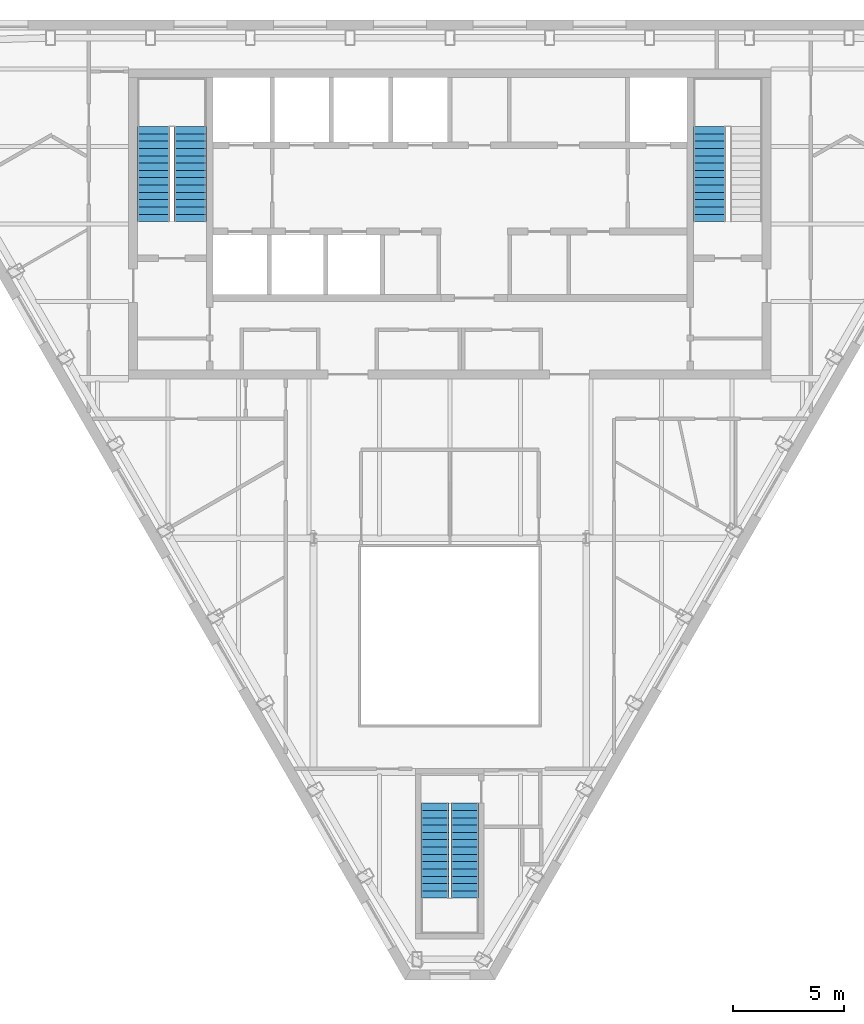
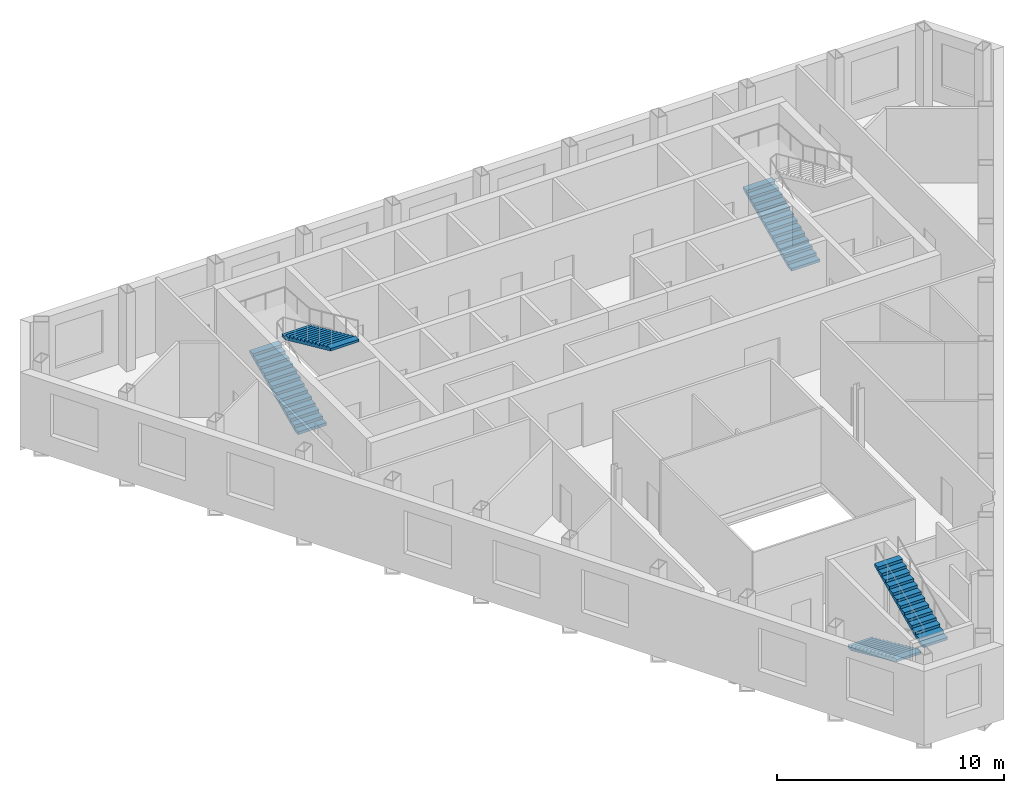
# One storey, part 8 of 10: 5 stair flights, 3 elements without a shape of their own.
"""IFC4 building model written with IfcOpenShell, lengths in metres."""

import ifcopenshell
import ifcopenshell.guid

model = None  # the IFC model being written
_history = None  # IfcOwnerHistory: only IFC2X3 demands one
_inside = {}  # id of a spatial element -> (the spatial element, [elements in it])
_under = {}  # id of a project, library or spatial element -> (it, [spatial elements below it])
_declared = {}  # id of a project -> (the project, [libraries it declares])
_typed = {}  # id of a type object -> (the type object, [elements of that type])
_made_of = {}  # id of a material, layer set ... -> (it, [elements and type objects made of it])


def new_model(schema):
    """Start an empty IFC model of exactly this schema.

    Asked for "IFC4X3", IfcOpenShell would pick the latest addendum, in which some entities
    have other attributes; the version numbers below select the first issue.
    IFC2X3 requires an IfcOwnerHistory on every rooted entity: one is made here for all.
    """
    global model, _history
    if schema == "IFC4X3":
        model = ifcopenshell.file(schema_version=(4, 3, 0, 0))
    else:
        model = ifcopenshell.file(schema=schema)
    _inside.clear()
    _under.clear()
    _declared.clear()
    _typed.clear()
    _made_of.clear()
    _history = None
    if model.schema == "IFC2X3":
        org = make("IfcOrganization", Name="unknown")
        user = make(
            "IfcPersonAndOrganization",
            ThePerson=make("IfcPerson", FamilyName="unknown"),
            TheOrganization=org,
        )
        app = make(
            "IfcApplication",
            ApplicationDeveloper=org,
            Version="unknown",
            ApplicationFullName="unknown",
            ApplicationIdentifier="unknown",
        )
        _history = make(
            "IfcOwnerHistory",
            OwningUser=user,
            OwningApplication=app,
            ChangeAction="ADDED",
            CreationDate=0,
        )
    return model


def make(cls, **values):
    """One entity of the class cls with the attributes given. An attribute that is None is left unset."""
    return model.create_entity(
        cls, **{name: value for name, value in values.items() if value is not None}
    )


def rooted(cls, **values):
    """An entity with a GlobalId (a new one), such as an element, a storey or a relation."""
    return make(cls, GlobalId=ifcopenshell.guid.new(), OwnerHistory=_history, **values)


def si_unit(unit_type, name, prefix=None):
    """IfcSIUnit, for example si_unit("LENGTHUNIT", "METRE", prefix="MILLI")."""
    return make("IfcSIUnit", UnitType=unit_type, Prefix=prefix, Name=name)


def assignment(units):
    """IfcUnitAssignment: the units of a project."""
    return None if units is None else make("IfcUnitAssignment", Units=units)


def point(xyz):
    """IfcCartesianPoint."""
    return None if xyz is None else make("IfcCartesianPoint", Coordinates=xyz)


def direction(xyz):
    """IfcDirection."""
    return None if xyz is None else make("IfcDirection", DirectionRatios=xyz)


def frame(location, z_axis=None, x_axis=None):
    """IfcAxis2Placement3D, a coordinate frame: its origin and axes. An axis left out is left unset."""
    return make(
        "IfcAxis2Placement3D",
        Location=point(location),
        Axis=direction(z_axis),
        RefDirection=direction(x_axis),
    )


def origin():
    """The frame at (0, 0, 0) with its axes left unset."""
    return frame((0.0, 0.0, 0.0))


def place(relative_to, where):
    """IfcLocalPlacement: puts the frame where relative to a parent placement (None: the world)."""
    return make(
        "IfcLocalPlacement", PlacementRelTo=relative_to, RelativePlacement=where
    )


def context(
    kind, dimensions, precision=None, world=None, true_north=None, identifier=None
):
    """IfcGeometricRepresentationContext, for example the 3D "Model" context."""
    return make(
        "IfcGeometricRepresentationContext",
        ContextIdentifier=identifier,
        ContextType=kind,
        CoordinateSpaceDimension=dimensions,
        Precision=precision,
        WorldCoordinateSystem=world,
        TrueNorth=true_north,
    )


def subcontext(parent, identifier, kind, view, scale=None):
    """IfcGeometricRepresentationSubContext, for example "Body" below "Model"."""
    return make(
        "IfcGeometricRepresentationSubContext",
        ContextIdentifier=identifier,
        ContextType=kind,
        ParentContext=parent,
        TargetScale=scale,
        TargetView=view,
    )


def project(units=None, contexts=None):
    """IfcProject with its units and contexts."""
    return rooted(
        "IfcProject",
        Name="project",
        RepresentationContexts=contexts,
        UnitsInContext=assignment(units),
    )


def spatial(cls, under=None, at=None, **own):
    """A site, building, storey or space (cls), placed at a placement, below another one or the project."""
    s = rooted(cls, ObjectPlacement=at, **own)
    if under is not None:
        _under.setdefault(under.id(), (under, []))[1].append(s)
    return s


def point_list(points):
    """IfcCartesianPointList2D or 3D."""
    cls = (
        "IfcCartesianPointList2D" if len(points[0]) == 2 else "IfcCartesianPointList3D"
    )
    return make(cls, CoordList=points)


def polygons(points, faces, closed=None, point_numbers=None):
    """IfcPolygonalFaceSet: a face is its outer loop, then its inner loops; points numbered from 1."""
    made = []
    for loops in faces:
        if len(loops) == 1:
            made.append(make("IfcIndexedPolygonalFace", CoordIndex=loops[0]))
        else:
            made.append(
                make(
                    "IfcIndexedPolygonalFaceWithVoids",
                    CoordIndex=loops[0],
                    InnerCoordIndices=loops[1:],
                )
            )
    return make(
        "IfcPolygonalFaceSet",
        Coordinates=point_list(points),
        Closed=closed,
        Faces=made,
        PnIndex=point_numbers,
    )


def shape(context_of_items, identifier, shape_type, items):
    """IfcShapeRepresentation: the items that make up one representation, for example the "Body"."""
    return make(
        "IfcShapeRepresentation",
        ContextOfItems=context_of_items,
        RepresentationIdentifier=identifier,
        RepresentationType=shape_type,
        Items=items,
    )


def material(Name=None, Category=None):
    """IfcMaterial."""
    return make("IfcMaterial", Name=Name, Category=Category)


def made_of(thing, what):
    """Note that an element or type object is made of a material, layer set ...; save() writes the relation."""
    if what is not None:
        _made_of.setdefault(what.id(), (what, []))[1].append(thing)
    return thing


def type_object(cls, material=None, **own):
    """A type object (cls), such as IfcWallType, which elements share."""
    return made_of(rooted(cls, **own), material)


def element(
    cls,
    number,
    at=None,
    inside=None,
    cuts=None,
    type_object=None,
    material=None,
    context=None,
    identifier="Body",
    shape_type=None,
    held_by="IfcProductDefinitionShape",
    body=None,
    shapes=None,
    **own,
):
    """One element of the class cls, such as IfcWall. Its Tag is "e" and its number.

    at: its placement. inside: the storey or other place that contains it. cuts: it is an
    opening in that element (IfcRelVoidsElement). A single representation is given by context,
    identifier, shape_type and body (its items); several are given by shapes. held_by: the class
    of the entity that holds the representations. save() writes the other relations.
    """
    e = rooted(cls, Tag="e%d" % number, ObjectPlacement=at, **own)
    if body is not None:
        shapes = [shape(context, identifier, shape_type, body)]
    if shapes is not None:
        e.Representation = make(held_by, Representations=shapes)
    if inside is not None:
        _inside.setdefault(inside.id(), (inside, []))[1].append(e)
    if cuts is not None:
        rooted(
            "IfcRelVoidsElement", RelatingBuildingElement=cuts, RelatedOpeningElement=e
        )
    if type_object is not None:
        _typed.setdefault(type_object.id(), (type_object, []))[1].append(e)
    return made_of(e, material)


def aggregate(whole, parts):
    """IfcRelAggregates: a whole, such as a stair, and the parts it consists of."""
    return rooted("IfcRelAggregates", RelatingObject=whole, RelatedObjects=parts)


def save(model, path):
    """Write the relations noted so far, then the file.

    IfcRelAggregates (storeys below a building ...), IfcRelContainedInSpatialStructure (elements
    in a storey), IfcRelDefinesByType, IfcRelAssociatesMaterial and IfcRelDeclares: one each for
    every whole, place, type object, material and project.
    """
    for whole, parts in _under.values():
        aggregate(whole, parts)
    for where, things in _inside.values():
        rooted(
            "IfcRelContainedInSpatialStructure",
            RelatedElements=things,
            RelatingStructure=where,
        )
    for kind, things in _typed.values():
        rooted("IfcRelDefinesByType", RelatedObjects=things, RelatingType=kind)
    for what, things in _made_of.values():
        rooted("IfcRelAssociatesMaterial", RelatedObjects=things, RelatingMaterial=what)
    for by, libraries in _declared.values():
        rooted("IfcRelDeclares", RelatingContext=by, RelatedDefinitions=libraries)
    model.write(path)


model = new_model("IFC4")

# Units and contexts
model_context = context("Model", 3, precision=1e-05, world=origin(), true_north=direction((0.0, 1.0)))
body_context = subcontext(model_context, "Body", "Model", "MODEL_VIEW")
ifc_project = project(units=[si_unit("LENGTHUNIT", "METRE"), si_unit("AREAUNIT", "SQUARE_METRE"), si_unit("VOLUMEUNIT", "CUBIC_METRE"), si_unit("PLANEANGLEUNIT", "RADIAN"), si_unit("MASSUNIT", "GRAM", prefix="KILO")], contexts=[model_context])

# Site, building, storey
site_placement = place(None, origin())
site = spatial("IfcSite", under=ifc_project, at=site_placement, CompositionType="ELEMENT")
building_placement = place(site_placement, origin())
building = spatial("IfcBuilding", under=site, at=building_placement, Name="Njiva Tower", CompositionType="ELEMENT")
storey_placement = place(building_placement, frame((0.0, 0.0, 329.4)))
storey = spatial("IfcBuildingStorey", under=building, at=storey_placement, Name="L75", CompositionType="ELEMENT", Elevation=329.4)

# Stair, stair flights
ifc_material = material(Name="Concrete C40/50", Category="concrete")
stair_type_1 = type_object("IfcStairType", Name="ST1 Exit stair 1250", PredefinedType="HALF_TURN_STAIR", material=ifc_material)
stair_1_placement = place(storey_placement, origin())
stair_1 = element("IfcStair", 1, at=stair_1_placement, inside=storey, type_object=stair_type_1, Name="Stair C", PredefinedType="HALF_TURN_STAIR")
stair_flight_type_1 = type_object("IfcStairFlightType", Name="FL1 Stair flight 1250", PredefinedType="STRAIGHT", material=ifc_material)
stair_flight_1_placement = place(storey_placement, frame((-0.675, -15.16, 0.0), z_axis=(0.0, 0.0, 1.0), x_axis=(0.0, -1.0, 0.0)))
stair_flight_1 = element("IfcStairFlight", 2, at=stair_flight_1_placement, type_object=stair_flight_type_1, Name="ST-C flight 1", NumberOfRisers=14, NumberOfTreads=13, PredefinedType="STRAIGHT", RiserHeight=0.15, TreadLength=0.33, context=body_context, shape_type="Tessellation", body=[
    polygons([(0.0, 0.625, 0.0), (0.0, 0.3125, 0.0), (0.0, 0.0, 0.0), (0.0, -0.3125, 0.0), (0.0, -0.625, 0.0), (0.0, 0.625, 0.15), (0.0, 0.3125, 0.15), (0.0, 0.0, 0.15), (0.0, -0.3125, 0.15), (0.0, -0.625, 0.15), (0.33, 0.625, 0.15), (0.33, 0.3125, 0.15), (0.33, 0.0, 0.15), (0.33, -0.3125, 0.15), (0.33, -0.625, 0.15), (0.33, 0.625, 0.3), (0.33, 0.3125, 0.3), (0.33, 0.0, 0.3), (0.33, -0.3125, 0.3), (0.33, -0.625, 0.3), (0.66, 0.625, 0.3), (0.66, 0.3125, 0.3), (0.66, 0.0, 0.3), (0.66, -0.3125, 0.3), (0.66, -0.625, 0.3), (0.66, 0.625, 0.45), (0.66, 0.3125, 0.45), (0.66, 0.0, 0.45), (0.66, -0.3125, 0.45), (0.66, -0.625, 0.45), (0.99, 0.625, 0.45), (0.99, 0.3125, 0.45), (0.99, 0.0, 0.45), (0.99, -0.3125, 0.45), (0.99, -0.625, 0.45), (0.99, 0.625, 0.6), (0.99, 0.3125, 0.6), (0.99, 0.0, 0.6), (0.99, -0.3125, 0.6), (0.99, -0.625, 0.6), (1.32, 0.625, 0.6), (1.32, 0.3125, 0.6), (1.32, 0.0, 0.6), (1.32, -0.3125, 0.6), (1.32, -0.625, 0.6), (1.32, 0.625, 0.75), (1.32, 0.3125, 0.75), (1.32, 0.0, 0.75), (1.32, -0.3125, 0.75), (1.32, -0.625, 0.75), (1.65, 0.625, 0.75), (1.65, 0.3125, 0.75), (1.65, 0.0, 0.75), (1.65, -0.3125, 0.75), (1.65, -0.625, 0.75), (1.65, 0.625, 0.9), (1.65, 0.3125, 0.9), (1.65, 0.0, 0.9), (1.65, -0.3125, 0.9), (1.65, -0.625, 0.9), (1.98, 0.625, 0.9), (1.98, 0.3125, 0.9), (1.98, 0.0, 0.9), (1.98, -0.3125, 0.9), (1.98, -0.625, 0.9), (1.98, 0.625, 1.05), (1.98, 0.3125, 1.05), (1.98, 0.0, 1.05), (1.98, -0.3125, 1.05), (1.98, -0.625, 1.05), (2.31, 0.625, 1.05), (2.31, 0.3125, 1.05), (2.31, 0.0, 1.05), (2.31, -0.3125, 1.05), (2.31, -0.625, 1.05), (2.31, 0.625, 1.2), (2.31, 0.3125, 1.2), (2.31, 0.0, 1.2), (2.31, -0.3125, 1.2), (2.31, -0.625, 1.2), (2.64, 0.625, 1.2), (2.64, 0.3125, 1.2), (2.64, 0.0, 1.2), (2.64, -0.3125, 1.2), (2.64, -0.625, 1.2), (2.64, 0.625, 1.35), (2.64, 0.3125, 1.35), (2.64, 0.0, 1.35), (2.64, -0.3125, 1.35), (2.64, -0.625, 1.35), (2.97, 0.625, 1.35), (2.97, 0.3125, 1.35), (2.97, 0.0, 1.35), (2.97, -0.3125, 1.35), (2.97, -0.625, 1.35), (2.97, 0.625, 1.5), (2.97, 0.3125, 1.5), (2.97, 0.0, 1.5), (2.97, -0.3125, 1.5), (2.97, -0.625, 1.5), (3.3, 0.625, 1.5), (3.3, 0.3125, 1.5), (3.3, 0.0, 1.5), (3.3, -0.3125, 1.5), (3.3, -0.625, 1.5), (3.3, 0.625, 1.65), (3.3, 0.3125, 1.65), (3.3, 0.0, 1.65), (3.3, -0.3125, 1.65), (3.3, -0.625, 1.65), (3.63, 0.625, 1.65), (3.63, 0.3125, 1.65), (3.63, 0.0, 1.65), (3.63, -0.3125, 1.65), (3.63, -0.625, 1.65), (3.63, 0.625, 1.8), (3.63, 0.3125, 1.8), (3.63, 0.0, 1.8), (3.63, -0.3125, 1.8), (3.63, -0.625, 1.8), (3.96, 0.625, 1.8), (3.96, 0.3125, 1.8), (3.96, 0.0, 1.8), (3.96, -0.3125, 1.8), (3.96, -0.625, 1.8), (3.96, 0.625, 1.95), (3.96, 0.3125, 1.95), (3.96, 0.0, 1.95), (3.96, -0.3125, 1.95), (3.96, -0.625, 1.95), (4.29, 0.625, 1.95), (4.29, 0.3125, 1.95), (4.29, 0.0, 1.95), (4.29, -0.3125, 1.95), (4.29, -0.625, 1.95), (4.29, 0.625, 1.8182), (4.29, 0.3125, 1.8182), (4.29, 0.0, 1.8182), (4.29, -0.3125, 1.8182), (4.29, -0.625, 1.8182), (0.29, 0.625, 0.0), (0.29, 0.3125, 0.0), (0.29, 0.0, 0.0), (0.29, -0.3125, 0.0), (0.29, -0.625, 0.0)], [[[1, 6, 11, 16, 21, 26, 31, 36, 41, 46, 51, 56, 61, 66, 71, 76, 81, 86, 91, 96, 101, 106, 111, 116, 121, 126, 131, 136, 141]], [[145, 140, 135, 130, 125, 120, 115, 110, 105, 100, 95, 90, 85, 80, 75, 70, 65, 60, 55, 50, 45, 40, 35, 30, 25, 20, 15, 10, 5]], [[6, 1, 2, 7]], [[7, 2, 3, 8]], [[8, 3, 4, 9]], [[9, 4, 5, 10]], [[11, 6, 7, 12]], [[12, 7, 8, 13]], [[13, 8, 9, 14]], [[14, 9, 10, 15]], [[16, 11, 12, 17]], [[17, 12, 13, 18]], [[18, 13, 14, 19]], [[19, 14, 15, 20]], [[21, 16, 17, 22]], [[22, 17, 18, 23]], [[23, 18, 19, 24]], [[24, 19, 20, 25]], [[26, 21, 22, 27]], [[27, 22, 23, 28]], [[28, 23, 24, 29]], [[29, 24, 25, 30]], [[31, 26, 27, 32]], [[32, 27, 28, 33]], [[33, 28, 29, 34]], [[34, 29, 30, 35]], [[36, 31, 32, 37]], [[37, 32, 33, 38]], [[38, 33, 34, 39]], [[39, 34, 35, 40]], [[41, 36, 37, 42]], [[42, 37, 38, 43]], [[43, 38, 39, 44]], [[44, 39, 40, 45]], [[46, 41, 42, 47]], [[47, 42, 43, 48]], [[48, 43, 44, 49]], [[49, 44, 45, 50]], [[51, 46, 47, 52]], [[52, 47, 48, 53]], [[53, 48, 49, 54]], [[54, 49, 50, 55]], [[56, 51, 52, 57]], [[57, 52, 53, 58]], [[58, 53, 54, 59]], [[59, 54, 55, 60]], [[61, 56, 57, 62]], [[62, 57, 58, 63]], [[63, 58, 59, 64]], [[64, 59, 60, 65]], [[66, 61, 62, 67]], [[67, 62, 63, 68]], [[68, 63, 64, 69]], [[69, 64, 65, 70]], [[71, 66, 67, 72]], [[72, 67, 68, 73]], [[73, 68, 69, 74]], [[74, 69, 70, 75]], [[76, 71, 72, 77]], [[77, 72, 73, 78]], [[78, 73, 74, 79]], [[79, 74, 75, 80]], [[81, 76, 77, 82]], [[82, 77, 78, 83]], [[83, 78, 79, 84]], [[84, 79, 80, 85]], [[86, 81, 82, 87]], [[87, 82, 83, 88]], [[88, 83, 84, 89]], [[89, 84, 85, 90]], [[91, 86, 87, 92]], [[92, 87, 88, 93]], [[93, 88, 89, 94]], [[94, 89, 90, 95]], [[96, 91, 92, 97]], [[97, 92, 93, 98]], [[98, 93, 94, 99]], [[99, 94, 95, 100]], [[101, 96, 97, 102]], [[102, 97, 98, 103]], [[103, 98, 99, 104]], [[104, 99, 100, 105]], [[106, 101, 102, 107]], [[107, 102, 103, 108]], [[108, 103, 104, 109]], [[109, 104, 105, 110]], [[111, 106, 107, 112]], [[112, 107, 108, 113]], [[113, 108, 109, 114]], [[114, 109, 110, 115]], [[116, 111, 112, 117]], [[117, 112, 113, 118]], [[118, 113, 114, 119]], [[119, 114, 115, 120]], [[121, 116, 117, 122]], [[122, 117, 118, 123]], [[123, 118, 119, 124]], [[124, 119, 120, 125]], [[126, 121, 122, 127]], [[127, 122, 123, 128]], [[128, 123, 124, 129]], [[129, 124, 125, 130]], [[131, 126, 127, 132]], [[132, 127, 128, 133]], [[133, 128, 129, 134]], [[134, 129, 130, 135]], [[136, 131, 132, 137]], [[137, 132, 133, 138]], [[138, 133, 134, 139]], [[139, 134, 135, 140]], [[141, 136, 137, 142]], [[142, 137, 138, 143]], [[143, 138, 139, 144]], [[144, 139, 140, 145]], [[1, 141, 142, 2]], [[2, 142, 143, 3]], [[3, 143, 144, 4]], [[4, 144, 145, 5]]], closed=True),
])
stair_flight_2_placement = place(storey_placement, frame((0.675, -19.45, 2.1), z_axis=(0.0, 0.0, 1.0), x_axis=(0.0, 1.0, 0.0)))
stair_flight_2 = element("IfcStairFlight", 3, at=stair_flight_2_placement, type_object=stair_flight_type_1, Name="ST-C flight 2", NumberOfRisers=14, NumberOfTreads=13, PredefinedType="STRAIGHT", RiserHeight=0.15, TreadLength=0.33, context=body_context, shape_type="Tessellation", body=[
    polygons([(0.0, 0.625, 0.0), (0.0, 0.3125, 0.0), (0.0, 0.0, 0.0), (0.0, -0.3125, 0.0), (0.0, -0.625, 0.0), (0.0, 0.625, 0.15), (0.0, 0.3125, 0.15), (0.0, 0.0, 0.15), (0.0, -0.3125, 0.15), (0.0, -0.625, 0.15), (0.33, 0.625, 0.15), (0.33, 0.3125, 0.15), (0.33, 0.0, 0.15), (0.33, -0.3125, 0.15), (0.33, -0.625, 0.15), (0.33, 0.625, 0.3), (0.33, 0.3125, 0.3), (0.33, 0.0, 0.3), (0.33, -0.3125, 0.3), (0.33, -0.625, 0.3), (0.66, 0.625, 0.3), (0.66, 0.3125, 0.3), (0.66, 0.0, 0.3), (0.66, -0.3125, 0.3), (0.66, -0.625, 0.3), (0.66, 0.625, 0.45), (0.66, 0.3125, 0.45), (0.66, 0.0, 0.45), (0.66, -0.3125, 0.45), (0.66, -0.625, 0.45), (0.99, 0.625, 0.45), (0.99, 0.3125, 0.45), (0.99, 0.0, 0.45), (0.99, -0.3125, 0.45), (0.99, -0.625, 0.45), (0.99, 0.625, 0.6), (0.99, 0.3125, 0.6), (0.99, 0.0, 0.6), (0.99, -0.3125, 0.6), (0.99, -0.625, 0.6), (1.32, 0.625, 0.6), (1.32, 0.3125, 0.6), (1.32, 0.0, 0.6), (1.32, -0.3125, 0.6), (1.32, -0.625, 0.6), (1.32, 0.625, 0.75), (1.32, 0.3125, 0.75), (1.32, 0.0, 0.75), (1.32, -0.3125, 0.75), (1.32, -0.625, 0.75), (1.65, 0.625, 0.75), (1.65, 0.3125, 0.75), (1.65, 0.0, 0.75), (1.65, -0.3125, 0.75), (1.65, -0.625, 0.75), (1.65, 0.625, 0.9), (1.65, 0.3125, 0.9), (1.65, 0.0, 0.9), (1.65, -0.3125, 0.9), (1.65, -0.625, 0.9), (1.98, 0.625, 0.9), (1.98, 0.3125, 0.9), (1.98, 0.0, 0.9), (1.98, -0.3125, 0.9), (1.98, -0.625, 0.9), (1.98, 0.625, 1.05), (1.98, 0.3125, 1.05), (1.98, 0.0, 1.05), (1.98, -0.3125, 1.05), (1.98, -0.625, 1.05), (2.31, 0.625, 1.05), (2.31, 0.3125, 1.05), (2.31, 0.0, 1.05), (2.31, -0.3125, 1.05), (2.31, -0.625, 1.05), (2.31, 0.625, 1.2), (2.31, 0.3125, 1.2), (2.31, 0.0, 1.2), (2.31, -0.3125, 1.2), (2.31, -0.625, 1.2), (2.64, 0.625, 1.2), (2.64, 0.3125, 1.2), (2.64, 0.0, 1.2), (2.64, -0.3125, 1.2), (2.64, -0.625, 1.2), (2.64, 0.625, 1.35), (2.64, 0.3125, 1.35), (2.64, 0.0, 1.35), (2.64, -0.3125, 1.35), (2.64, -0.625, 1.35), (2.97, 0.625, 1.35), (2.97, 0.3125, 1.35), (2.97, 0.0, 1.35), (2.97, -0.3125, 1.35), (2.97, -0.625, 1.35), (2.97, 0.625, 1.5), (2.97, 0.3125, 1.5), (2.97, 0.0, 1.5), (2.97, -0.3125, 1.5), (2.97, -0.625, 1.5), (3.3, 0.625, 1.5), (3.3, 0.3125, 1.5), (3.3, 0.0, 1.5), (3.3, -0.3125, 1.5), (3.3, -0.625, 1.5), (3.3, 0.625, 1.65), (3.3, 0.3125, 1.65), (3.3, 0.0, 1.65), (3.3, -0.3125, 1.65), (3.3, -0.625, 1.65), (3.63, 0.625, 1.65), (3.63, 0.3125, 1.65), (3.63, 0.0, 1.65), (3.63, -0.3125, 1.65), (3.63, -0.625, 1.65), (3.63, 0.625, 1.8), (3.63, 0.3125, 1.8), (3.63, 0.0, 1.8), (3.63, -0.3125, 1.8), (3.63, -0.625, 1.8), (3.96, 0.625, 1.8), (3.96, 0.3125, 1.8), (3.96, 0.0, 1.8), (3.96, -0.3125, 1.8), (3.96, -0.625, 1.8), (3.96, 0.625, 1.95), (3.96, 0.3125, 1.95), (3.96, 0.0, 1.95), (3.96, -0.3125, 1.95), (3.96, -0.625, 1.95), (4.29, 0.625, 1.95), (4.29, 0.3125, 1.95), (4.29, 0.0, 1.95), (4.29, -0.3125, 1.95), (4.29, -0.625, 1.95), (4.29, 0.625, 1.8182), (4.29, 0.3125, 1.8182), (4.29, 0.0, 1.8182), (4.29, -0.3125, 1.8182), (4.29, -0.625, 1.8182), (0.29, 0.625, 0.0), (0.29, 0.3125, 0.0), (0.29, 0.0, 0.0), (0.29, -0.3125, 0.0), (0.29, -0.625, 0.0)], [[[1, 6, 11, 16, 21, 26, 31, 36, 41, 46, 51, 56, 61, 66, 71, 76, 81, 86, 91, 96, 101, 106, 111, 116, 121, 126, 131, 136, 141]], [[145, 140, 135, 130, 125, 120, 115, 110, 105, 100, 95, 90, 85, 80, 75, 70, 65, 60, 55, 50, 45, 40, 35, 30, 25, 20, 15, 10, 5]], [[6, 1, 2, 7]], [[7, 2, 3, 8]], [[8, 3, 4, 9]], [[9, 4, 5, 10]], [[11, 6, 7, 12]], [[12, 7, 8, 13]], [[13, 8, 9, 14]], [[14, 9, 10, 15]], [[16, 11, 12, 17]], [[17, 12, 13, 18]], [[18, 13, 14, 19]], [[19, 14, 15, 20]], [[21, 16, 17, 22]], [[22, 17, 18, 23]], [[23, 18, 19, 24]], [[24, 19, 20, 25]], [[26, 21, 22, 27]], [[27, 22, 23, 28]], [[28, 23, 24, 29]], [[29, 24, 25, 30]], [[31, 26, 27, 32]], [[32, 27, 28, 33]], [[33, 28, 29, 34]], [[34, 29, 30, 35]], [[36, 31, 32, 37]], [[37, 32, 33, 38]], [[38, 33, 34, 39]], [[39, 34, 35, 40]], [[41, 36, 37, 42]], [[42, 37, 38, 43]], [[43, 38, 39, 44]], [[44, 39, 40, 45]], [[46, 41, 42, 47]], [[47, 42, 43, 48]], [[48, 43, 44, 49]], [[49, 44, 45, 50]], [[51, 46, 47, 52]], [[52, 47, 48, 53]], [[53, 48, 49, 54]], [[54, 49, 50, 55]], [[56, 51, 52, 57]], [[57, 52, 53, 58]], [[58, 53, 54, 59]], [[59, 54, 55, 60]], [[61, 56, 57, 62]], [[62, 57, 58, 63]], [[63, 58, 59, 64]], [[64, 59, 60, 65]], [[66, 61, 62, 67]], [[67, 62, 63, 68]], [[68, 63, 64, 69]], [[69, 64, 65, 70]], [[71, 66, 67, 72]], [[72, 67, 68, 73]], [[73, 68, 69, 74]], [[74, 69, 70, 75]], [[76, 71, 72, 77]], [[77, 72, 73, 78]], [[78, 73, 74, 79]], [[79, 74, 75, 80]], [[81, 76, 77, 82]], [[82, 77, 78, 83]], [[83, 78, 79, 84]], [[84, 79, 80, 85]], [[86, 81, 82, 87]], [[87, 82, 83, 88]], [[88, 83, 84, 89]], [[89, 84, 85, 90]], [[91, 86, 87, 92]], [[92, 87, 88, 93]], [[93, 88, 89, 94]], [[94, 89, 90, 95]], [[96, 91, 92, 97]], [[97, 92, 93, 98]], [[98, 93, 94, 99]], [[99, 94, 95, 100]], [[101, 96, 97, 102]], [[102, 97, 98, 103]], [[103, 98, 99, 104]], [[104, 99, 100, 105]], [[106, 101, 102, 107]], [[107, 102, 103, 108]], [[108, 103, 104, 109]], [[109, 104, 105, 110]], [[111, 106, 107, 112]], [[112, 107, 108, 113]], [[113, 108, 109, 114]], [[114, 109, 110, 115]], [[116, 111, 112, 117]], [[117, 112, 113, 118]], [[118, 113, 114, 119]], [[119, 114, 115, 120]], [[121, 116, 117, 122]], [[122, 117, 118, 123]], [[123, 118, 119, 124]], [[124, 119, 120, 125]], [[126, 121, 122, 127]], [[127, 122, 123, 128]], [[128, 123, 124, 129]], [[129, 124, 125, 130]], [[131, 126, 127, 132]], [[132, 127, 128, 133]], [[133, 128, 129, 134]], [[134, 129, 130, 135]], [[136, 131, 132, 137]], [[137, 132, 133, 138]], [[138, 133, 134, 139]], [[139, 134, 135, 140]], [[141, 136, 137, 142]], [[142, 137, 138, 143]], [[143, 138, 139, 144]], [[144, 139, 140, 145]], [[1, 141, 142, 2]], [[2, 142, 143, 3]], [[3, 143, 144, 4]], [[4, 144, 145, 5]]], closed=True),
])
aggregate(stair_1, [stair_flight_1, stair_flight_2])

stair_type_2 = type_object("IfcStairType", Name="ST3 Exit stair 1450", PredefinedType="HALF_TURN_STAIR", material=ifc_material)
stair_2_placement = place(storey_placement, origin())
stair_2 = element("IfcStair", 4, at=stair_2_placement, inside=storey, type_object=stair_type_2, Name="Stair A", PredefinedType="HALF_TURN_STAIR")
stair_flight_type_2 = type_object("IfcStairFlightType", Name="FL3 Stair flight 1450", PredefinedType="STRAIGHT", material=ifc_material)
stair_flight_3_placement = place(storey_placement, frame((-13.375, 11.1, 0.0), z_axis=(0.0, 0.0, 1.0), x_axis=(0.0, 1.0, 0.0)))
stair_flight_3 = element("IfcStairFlight", 5, at=stair_flight_3_placement, type_object=stair_flight_type_2, Name="ST-A flight 1", NumberOfRisers=14, NumberOfTreads=13, PredefinedType="STRAIGHT", RiserHeight=0.15, TreadLength=0.33, context=body_context, shape_type="Tessellation", body=[
    polygons([(0.0, 0.725, 0.0), (0.0, 0.3625, 0.0), (0.0, 0.0, 0.0), (0.0, -0.3625, 0.0), (0.0, -0.725, 0.0), (0.0, 0.725, 0.15), (0.0, 0.3625, 0.15), (0.0, 0.0, 0.15), (0.0, -0.3625, 0.15), (0.0, -0.725, 0.15), (0.33, 0.725, 0.15), (0.33, 0.3625, 0.15), (0.33, 0.0, 0.15), (0.33, -0.3625, 0.15), (0.33, -0.725, 0.15), (0.33, 0.725, 0.3), (0.33, 0.3625, 0.3), (0.33, 0.0, 0.3), (0.33, -0.3625, 0.3), (0.33, -0.725, 0.3), (0.66, 0.725, 0.3), (0.66, 0.3625, 0.3), (0.66, 0.0, 0.3), (0.66, -0.3625, 0.3), (0.66, -0.725, 0.3), (0.66, 0.725, 0.45), (0.66, 0.3625, 0.45), (0.66, 0.0, 0.45), (0.66, -0.3625, 0.45), (0.66, -0.725, 0.45), (0.99, 0.725, 0.45), (0.99, 0.3625, 0.45), (0.99, 0.0, 0.45), (0.99, -0.3625, 0.45), (0.99, -0.725, 0.45), (0.99, 0.725, 0.6), (0.99, 0.3625, 0.6), (0.99, 0.0, 0.6), (0.99, -0.3625, 0.6), (0.99, -0.725, 0.6), (1.32, 0.725, 0.6), (1.32, 0.3625, 0.6), (1.32, 0.0, 0.6), (1.32, -0.3625, 0.6), (1.32, -0.725, 0.6), (1.32, 0.725, 0.75), (1.32, 0.3625, 0.75), (1.32, 0.0, 0.75), (1.32, -0.3625, 0.75), (1.32, -0.725, 0.75), (1.65, 0.725, 0.75), (1.65, 0.3625, 0.75), (1.65, 0.0, 0.75), (1.65, -0.3625, 0.75), (1.65, -0.725, 0.75), (1.65, 0.725, 0.9), (1.65, 0.3625, 0.9), (1.65, 0.0, 0.9), (1.65, -0.3625, 0.9), (1.65, -0.725, 0.9), (1.98, 0.725, 0.9), (1.98, 0.3625, 0.9), (1.98, 0.0, 0.9), (1.98, -0.3625, 0.9), (1.98, -0.725, 0.9), (1.98, 0.725, 1.05), (1.98, 0.3625, 1.05), (1.98, 0.0, 1.05), (1.98, -0.3625, 1.05), (1.98, -0.725, 1.05), (2.31, 0.725, 1.05), (2.31, 0.3625, 1.05), (2.31, 0.0, 1.05), (2.31, -0.3625, 1.05), (2.31, -0.725, 1.05), (2.31, 0.725, 1.2), (2.31, 0.3625, 1.2), (2.31, 0.0, 1.2), (2.31, -0.3625, 1.2), (2.31, -0.725, 1.2), (2.64, 0.725, 1.2), (2.64, 0.3625, 1.2), (2.64, 0.0, 1.2), (2.64, -0.3625, 1.2), (2.64, -0.725, 1.2), (2.64, 0.725, 1.35), (2.64, 0.3625, 1.35), (2.64, 0.0, 1.35), (2.64, -0.3625, 1.35), (2.64, -0.725, 1.35), (2.97, 0.725, 1.35), (2.97, 0.3625, 1.35), (2.97, 0.0, 1.35), (2.97, -0.3625, 1.35), (2.97, -0.725, 1.35), (2.97, 0.725, 1.5), (2.97, 0.3625, 1.5), (2.97, 0.0, 1.5), (2.97, -0.3625, 1.5), (2.97, -0.725, 1.5), (3.3, 0.725, 1.5), (3.3, 0.3625, 1.5), (3.3, 0.0, 1.5), (3.3, -0.3625, 1.5), (3.3, -0.725, 1.5), (3.3, 0.725, 1.65), (3.3, 0.3625, 1.65), (3.3, 0.0, 1.65), (3.3, -0.3625, 1.65), (3.3, -0.725, 1.65), (3.63, 0.725, 1.65), (3.63, 0.3625, 1.65), (3.63, 0.0, 1.65), (3.63, -0.3625, 1.65), (3.63, -0.725, 1.65), (3.63, 0.725, 1.8), (3.63, 0.3625, 1.8), (3.63, 0.0, 1.8), (3.63, -0.3625, 1.8), (3.63, -0.725, 1.8), (3.96, 0.725, 1.8), (3.96, 0.3625, 1.8), (3.96, 0.0, 1.8), (3.96, -0.3625, 1.8), (3.96, -0.725, 1.8), (3.96, 0.725, 1.95), (3.96, 0.3625, 1.95), (3.96, 0.0, 1.95), (3.96, -0.3625, 1.95), (3.96, -0.725, 1.95), (4.29, 0.725, 1.95), (4.29, 0.3625, 1.95), (4.29, 0.0, 1.95), (4.29, -0.3625, 1.95), (4.29, -0.725, 1.95), (4.29, 0.725, 1.8182), (4.29, 0.3625, 1.8182), (4.29, 0.0, 1.8182), (4.29, -0.3625, 1.8182), (4.29, -0.725, 1.8182), (0.29, 0.725, 0.0), (0.29, 0.3625, 0.0), (0.29, 0.0, 0.0), (0.29, -0.3625, 0.0), (0.29, -0.725, 0.0)], [[[1, 6, 11, 16, 21, 26, 31, 36, 41, 46, 51, 56, 61, 66, 71, 76, 81, 86, 91, 96, 101, 106, 111, 116, 121, 126, 131, 136, 141]], [[145, 140, 135, 130, 125, 120, 115, 110, 105, 100, 95, 90, 85, 80, 75, 70, 65, 60, 55, 50, 45, 40, 35, 30, 25, 20, 15, 10, 5]], [[6, 1, 2, 7]], [[7, 2, 3, 8]], [[8, 3, 4, 9]], [[9, 4, 5, 10]], [[11, 6, 7, 12]], [[12, 7, 8, 13]], [[13, 8, 9, 14]], [[14, 9, 10, 15]], [[16, 11, 12, 17]], [[17, 12, 13, 18]], [[18, 13, 14, 19]], [[19, 14, 15, 20]], [[21, 16, 17, 22]], [[22, 17, 18, 23]], [[23, 18, 19, 24]], [[24, 19, 20, 25]], [[26, 21, 22, 27]], [[27, 22, 23, 28]], [[28, 23, 24, 29]], [[29, 24, 25, 30]], [[31, 26, 27, 32]], [[32, 27, 28, 33]], [[33, 28, 29, 34]], [[34, 29, 30, 35]], [[36, 31, 32, 37]], [[37, 32, 33, 38]], [[38, 33, 34, 39]], [[39, 34, 35, 40]], [[41, 36, 37, 42]], [[42, 37, 38, 43]], [[43, 38, 39, 44]], [[44, 39, 40, 45]], [[46, 41, 42, 47]], [[47, 42, 43, 48]], [[48, 43, 44, 49]], [[49, 44, 45, 50]], [[51, 46, 47, 52]], [[52, 47, 48, 53]], [[53, 48, 49, 54]], [[54, 49, 50, 55]], [[56, 51, 52, 57]], [[57, 52, 53, 58]], [[58, 53, 54, 59]], [[59, 54, 55, 60]], [[61, 56, 57, 62]], [[62, 57, 58, 63]], [[63, 58, 59, 64]], [[64, 59, 60, 65]], [[66, 61, 62, 67]], [[67, 62, 63, 68]], [[68, 63, 64, 69]], [[69, 64, 65, 70]], [[71, 66, 67, 72]], [[72, 67, 68, 73]], [[73, 68, 69, 74]], [[74, 69, 70, 75]], [[76, 71, 72, 77]], [[77, 72, 73, 78]], [[78, 73, 74, 79]], [[79, 74, 75, 80]], [[81, 76, 77, 82]], [[82, 77, 78, 83]], [[83, 78, 79, 84]], [[84, 79, 80, 85]], [[86, 81, 82, 87]], [[87, 82, 83, 88]], [[88, 83, 84, 89]], [[89, 84, 85, 90]], [[91, 86, 87, 92]], [[92, 87, 88, 93]], [[93, 88, 89, 94]], [[94, 89, 90, 95]], [[96, 91, 92, 97]], [[97, 92, 93, 98]], [[98, 93, 94, 99]], [[99, 94, 95, 100]], [[101, 96, 97, 102]], [[102, 97, 98, 103]], [[103, 98, 99, 104]], [[104, 99, 100, 105]], [[106, 101, 102, 107]], [[107, 102, 103, 108]], [[108, 103, 104, 109]], [[109, 104, 105, 110]], [[111, 106, 107, 112]], [[112, 107, 108, 113]], [[113, 108, 109, 114]], [[114, 109, 110, 115]], [[116, 111, 112, 117]], [[117, 112, 113, 118]], [[118, 113, 114, 119]], [[119, 114, 115, 120]], [[121, 116, 117, 122]], [[122, 117, 118, 123]], [[123, 118, 119, 124]], [[124, 119, 120, 125]], [[126, 121, 122, 127]], [[127, 122, 123, 128]], [[128, 123, 124, 129]], [[129, 124, 125, 130]], [[131, 126, 127, 132]], [[132, 127, 128, 133]], [[133, 128, 129, 134]], [[134, 129, 130, 135]], [[136, 131, 132, 137]], [[137, 132, 133, 138]], [[138, 133, 134, 139]], [[139, 134, 135, 140]], [[141, 136, 137, 142]], [[142, 137, 138, 143]], [[143, 138, 139, 144]], [[144, 139, 140, 145]], [[1, 141, 142, 2]], [[2, 142, 143, 3]], [[3, 143, 144, 4]], [[4, 144, 145, 5]]], closed=True),
])
stair_flight_4_placement = place(storey_placement, frame((-11.725, 15.39, 2.1), z_axis=(0.0, 0.0, 1.0), x_axis=(0.0, -1.0, 0.0)))
stair_flight_4 = element("IfcStairFlight", 6, at=stair_flight_4_placement, type_object=stair_flight_type_2, Name="ST-A flight 2", NumberOfRisers=14, NumberOfTreads=13, PredefinedType="STRAIGHT", RiserHeight=0.15, TreadLength=0.33, context=body_context, shape_type="Tessellation", body=[
    polygons([(0.0, 0.725, 0.0), (0.0, 0.3625, 0.0), (0.0, 0.0, 0.0), (0.0, -0.3625, 0.0), (0.0, -0.725, 0.0), (0.0, 0.725, 0.15), (0.0, 0.3625, 0.15), (0.0, 0.0, 0.15), (0.0, -0.3625, 0.15), (0.0, -0.725, 0.15), (0.33, 0.725, 0.15), (0.33, 0.3625, 0.15), (0.33, 0.0, 0.15), (0.33, -0.3625, 0.15), (0.33, -0.725, 0.15), (0.33, 0.725, 0.3), (0.33, 0.3625, 0.3), (0.33, 0.0, 0.3), (0.33, -0.3625, 0.3), (0.33, -0.725, 0.3), (0.66, 0.725, 0.3), (0.66, 0.3625, 0.3), (0.66, 0.0, 0.3), (0.66, -0.3625, 0.3), (0.66, -0.725, 0.3), (0.66, 0.725, 0.45), (0.66, 0.3625, 0.45), (0.66, 0.0, 0.45), (0.66, -0.3625, 0.45), (0.66, -0.725, 0.45), (0.99, 0.725, 0.45), (0.99, 0.3625, 0.45), (0.99, 0.0, 0.45), (0.99, -0.3625, 0.45), (0.99, -0.725, 0.45), (0.99, 0.725, 0.6), (0.99, 0.3625, 0.6), (0.99, 0.0, 0.6), (0.99, -0.3625, 0.6), (0.99, -0.725, 0.6), (1.32, 0.725, 0.6), (1.32, 0.3625, 0.6), (1.32, 0.0, 0.6), (1.32, -0.3625, 0.6), (1.32, -0.725, 0.6), (1.32, 0.725, 0.75), (1.32, 0.3625, 0.75), (1.32, 0.0, 0.75), (1.32, -0.3625, 0.75), (1.32, -0.725, 0.75), (1.65, 0.725, 0.75), (1.65, 0.3625, 0.75), (1.65, 0.0, 0.75), (1.65, -0.3625, 0.75), (1.65, -0.725, 0.75), (1.65, 0.725, 0.9), (1.65, 0.3625, 0.9), (1.65, 0.0, 0.9), (1.65, -0.3625, 0.9), (1.65, -0.725, 0.9), (1.98, 0.725, 0.9), (1.98, 0.3625, 0.9), (1.98, 0.0, 0.9), (1.98, -0.3625, 0.9), (1.98, -0.725, 0.9), (1.98, 0.725, 1.05), (1.98, 0.3625, 1.05), (1.98, 0.0, 1.05), (1.98, -0.3625, 1.05), (1.98, -0.725, 1.05), (2.31, 0.725, 1.05), (2.31, 0.3625, 1.05), (2.31, 0.0, 1.05), (2.31, -0.3625, 1.05), (2.31, -0.725, 1.05), (2.31, 0.725, 1.2), (2.31, 0.3625, 1.2), (2.31, 0.0, 1.2), (2.31, -0.3625, 1.2), (2.31, -0.725, 1.2), (2.64, 0.725, 1.2), (2.64, 0.3625, 1.2), (2.64, 0.0, 1.2), (2.64, -0.3625, 1.2), (2.64, -0.725, 1.2), (2.64, 0.725, 1.35), (2.64, 0.3625, 1.35), (2.64, 0.0, 1.35), (2.64, -0.3625, 1.35), (2.64, -0.725, 1.35), (2.97, 0.725, 1.35), (2.97, 0.3625, 1.35), (2.97, 0.0, 1.35), (2.97, -0.3625, 1.35), (2.97, -0.725, 1.35), (2.97, 0.725, 1.5), (2.97, 0.3625, 1.5), (2.97, 0.0, 1.5), (2.97, -0.3625, 1.5), (2.97, -0.725, 1.5), (3.3, 0.725, 1.5), (3.3, 0.3625, 1.5), (3.3, 0.0, 1.5), (3.3, -0.3625, 1.5), (3.3, -0.725, 1.5), (3.3, 0.725, 1.65), (3.3, 0.3625, 1.65), (3.3, 0.0, 1.65), (3.3, -0.3625, 1.65), (3.3, -0.725, 1.65), (3.63, 0.725, 1.65), (3.63, 0.3625, 1.65), (3.63, 0.0, 1.65), (3.63, -0.3625, 1.65), (3.63, -0.725, 1.65), (3.63, 0.725, 1.8), (3.63, 0.3625, 1.8), (3.63, 0.0, 1.8), (3.63, -0.3625, 1.8), (3.63, -0.725, 1.8), (3.96, 0.725, 1.8), (3.96, 0.3625, 1.8), (3.96, 0.0, 1.8), (3.96, -0.3625, 1.8), (3.96, -0.725, 1.8), (3.96, 0.725, 1.95), (3.96, 0.3625, 1.95), (3.96, 0.0, 1.95), (3.96, -0.3625, 1.95), (3.96, -0.725, 1.95), (4.29, 0.725, 1.95), (4.29, 0.3625, 1.95), (4.29, 0.0, 1.95), (4.29, -0.3625, 1.95), (4.29, -0.725, 1.95), (4.29, 0.725, 1.8182), (4.29, 0.3625, 1.8182), (4.29, 0.0, 1.8182), (4.29, -0.3625, 1.8182), (4.29, -0.725, 1.8182), (0.29, 0.725, 0.0), (0.29, 0.3625, 0.0), (0.29, 0.0, 0.0), (0.29, -0.3625, 0.0), (0.29, -0.725, 0.0)], [[[1, 6, 11, 16, 21, 26, 31, 36, 41, 46, 51, 56, 61, 66, 71, 76, 81, 86, 91, 96, 101, 106, 111, 116, 121, 126, 131, 136, 141]], [[145, 140, 135, 130, 125, 120, 115, 110, 105, 100, 95, 90, 85, 80, 75, 70, 65, 60, 55, 50, 45, 40, 35, 30, 25, 20, 15, 10, 5]], [[6, 1, 2, 7]], [[7, 2, 3, 8]], [[8, 3, 4, 9]], [[9, 4, 5, 10]], [[11, 6, 7, 12]], [[12, 7, 8, 13]], [[13, 8, 9, 14]], [[14, 9, 10, 15]], [[16, 11, 12, 17]], [[17, 12, 13, 18]], [[18, 13, 14, 19]], [[19, 14, 15, 20]], [[21, 16, 17, 22]], [[22, 17, 18, 23]], [[23, 18, 19, 24]], [[24, 19, 20, 25]], [[26, 21, 22, 27]], [[27, 22, 23, 28]], [[28, 23, 24, 29]], [[29, 24, 25, 30]], [[31, 26, 27, 32]], [[32, 27, 28, 33]], [[33, 28, 29, 34]], [[34, 29, 30, 35]], [[36, 31, 32, 37]], [[37, 32, 33, 38]], [[38, 33, 34, 39]], [[39, 34, 35, 40]], [[41, 36, 37, 42]], [[42, 37, 38, 43]], [[43, 38, 39, 44]], [[44, 39, 40, 45]], [[46, 41, 42, 47]], [[47, 42, 43, 48]], [[48, 43, 44, 49]], [[49, 44, 45, 50]], [[51, 46, 47, 52]], [[52, 47, 48, 53]], [[53, 48, 49, 54]], [[54, 49, 50, 55]], [[56, 51, 52, 57]], [[57, 52, 53, 58]], [[58, 53, 54, 59]], [[59, 54, 55, 60]], [[61, 56, 57, 62]], [[62, 57, 58, 63]], [[63, 58, 59, 64]], [[64, 59, 60, 65]], [[66, 61, 62, 67]], [[67, 62, 63, 68]], [[68, 63, 64, 69]], [[69, 64, 65, 70]], [[71, 66, 67, 72]], [[72, 67, 68, 73]], [[73, 68, 69, 74]], [[74, 69, 70, 75]], [[76, 71, 72, 77]], [[77, 72, 73, 78]], [[78, 73, 74, 79]], [[79, 74, 75, 80]], [[81, 76, 77, 82]], [[82, 77, 78, 83]], [[83, 78, 79, 84]], [[84, 79, 80, 85]], [[86, 81, 82, 87]], [[87, 82, 83, 88]], [[88, 83, 84, 89]], [[89, 84, 85, 90]], [[91, 86, 87, 92]], [[92, 87, 88, 93]], [[93, 88, 89, 94]], [[94, 89, 90, 95]], [[96, 91, 92, 97]], [[97, 92, 93, 98]], [[98, 93, 94, 99]], [[99, 94, 95, 100]], [[101, 96, 97, 102]], [[102, 97, 98, 103]], [[103, 98, 99, 104]], [[104, 99, 100, 105]], [[106, 101, 102, 107]], [[107, 102, 103, 108]], [[108, 103, 104, 109]], [[109, 104, 105, 110]], [[111, 106, 107, 112]], [[112, 107, 108, 113]], [[113, 108, 109, 114]], [[114, 109, 110, 115]], [[116, 111, 112, 117]], [[117, 112, 113, 118]], [[118, 113, 114, 119]], [[119, 114, 115, 120]], [[121, 116, 117, 122]], [[122, 117, 118, 123]], [[123, 118, 119, 124]], [[124, 119, 120, 125]], [[126, 121, 122, 127]], [[127, 122, 123, 128]], [[128, 123, 124, 129]], [[129, 124, 125, 130]], [[131, 126, 127, 132]], [[132, 127, 128, 133]], [[133, 128, 129, 134]], [[134, 129, 130, 135]], [[136, 131, 132, 137]], [[137, 132, 133, 138]], [[138, 133, 134, 139]], [[139, 134, 135, 140]], [[141, 136, 137, 142]], [[142, 137, 138, 143]], [[143, 138, 139, 144]], [[144, 139, 140, 145]], [[1, 141, 142, 2]], [[2, 142, 143, 3]], [[3, 143, 144, 4]], [[4, 144, 145, 5]]], closed=True),
])
aggregate(stair_2, [stair_flight_3, stair_flight_4])

# Stair, stair flight
stair_3_placement = place(storey_placement, origin())
stair_3 = element("IfcStair", 7, at=stair_3_placement, inside=storey, type_object=stair_type_2, Name="Stair B", PredefinedType="HALF_TURN_STAIR")
stair_flight_5_placement = place(storey_placement, frame((11.725, 11.1, 0.0), z_axis=(0.0, 0.0, 1.0), x_axis=(0.0, 1.0, 0.0)))
stair_flight_5 = element("IfcStairFlight", 8, at=stair_flight_5_placement, type_object=stair_flight_type_2, Name="ST-B flight 1", NumberOfRisers=14, NumberOfTreads=13, PredefinedType="STRAIGHT", RiserHeight=0.15, TreadLength=0.33, context=body_context, shape_type="Tessellation", body=[
    polygons([(0.0, 0.725, 0.0), (0.0, 0.3625, 0.0), (0.0, 0.0, 0.0), (0.0, -0.3625, 0.0), (0.0, -0.725, 0.0), (0.0, 0.725, 0.15), (0.0, 0.3625, 0.15), (0.0, 0.0, 0.15), (0.0, -0.3625, 0.15), (0.0, -0.725, 0.15), (0.33, 0.725, 0.15), (0.33, 0.3625, 0.15), (0.33, 0.0, 0.15), (0.33, -0.3625, 0.15), (0.33, -0.725, 0.15), (0.33, 0.725, 0.3), (0.33, 0.3625, 0.3), (0.33, 0.0, 0.3), (0.33, -0.3625, 0.3), (0.33, -0.725, 0.3), (0.66, 0.725, 0.3), (0.66, 0.3625, 0.3), (0.66, 0.0, 0.3), (0.66, -0.3625, 0.3), (0.66, -0.725, 0.3), (0.66, 0.725, 0.45), (0.66, 0.3625, 0.45), (0.66, 0.0, 0.45), (0.66, -0.3625, 0.45), (0.66, -0.725, 0.45), (0.99, 0.725, 0.45), (0.99, 0.3625, 0.45), (0.99, 0.0, 0.45), (0.99, -0.3625, 0.45), (0.99, -0.725, 0.45), (0.99, 0.725, 0.6), (0.99, 0.3625, 0.6), (0.99, 0.0, 0.6), (0.99, -0.3625, 0.6), (0.99, -0.725, 0.6), (1.32, 0.725, 0.6), (1.32, 0.3625, 0.6), (1.32, 0.0, 0.6), (1.32, -0.3625, 0.6), (1.32, -0.725, 0.6), (1.32, 0.725, 0.75), (1.32, 0.3625, 0.75), (1.32, 0.0, 0.75), (1.32, -0.3625, 0.75), (1.32, -0.725, 0.75), (1.65, 0.725, 0.75), (1.65, 0.3625, 0.75), (1.65, 0.0, 0.75), (1.65, -0.3625, 0.75), (1.65, -0.725, 0.75), (1.65, 0.725, 0.9), (1.65, 0.3625, 0.9), (1.65, 0.0, 0.9), (1.65, -0.3625, 0.9), (1.65, -0.725, 0.9), (1.98, 0.725, 0.9), (1.98, 0.3625, 0.9), (1.98, 0.0, 0.9), (1.98, -0.3625, 0.9), (1.98, -0.725, 0.9), (1.98, 0.725, 1.05), (1.98, 0.3625, 1.05), (1.98, 0.0, 1.05), (1.98, -0.3625, 1.05), (1.98, -0.725, 1.05), (2.31, 0.725, 1.05), (2.31, 0.3625, 1.05), (2.31, 0.0, 1.05), (2.31, -0.3625, 1.05), (2.31, -0.725, 1.05), (2.31, 0.725, 1.2), (2.31, 0.3625, 1.2), (2.31, 0.0, 1.2), (2.31, -0.3625, 1.2), (2.31, -0.725, 1.2), (2.64, 0.725, 1.2), (2.64, 0.3625, 1.2), (2.64, 0.0, 1.2), (2.64, -0.3625, 1.2), (2.64, -0.725, 1.2), (2.64, 0.725, 1.35), (2.64, 0.3625, 1.35), (2.64, 0.0, 1.35), (2.64, -0.3625, 1.35), (2.64, -0.725, 1.35), (2.97, 0.725, 1.35), (2.97, 0.3625, 1.35), (2.97, 0.0, 1.35), (2.97, -0.3625, 1.35), (2.97, -0.725, 1.35), (2.97, 0.725, 1.5), (2.97, 0.3625, 1.5), (2.97, 0.0, 1.5), (2.97, -0.3625, 1.5), (2.97, -0.725, 1.5), (3.3, 0.725, 1.5), (3.3, 0.3625, 1.5), (3.3, 0.0, 1.5), (3.3, -0.3625, 1.5), (3.3, -0.725, 1.5), (3.3, 0.725, 1.65), (3.3, 0.3625, 1.65), (3.3, 0.0, 1.65), (3.3, -0.3625, 1.65), (3.3, -0.725, 1.65), (3.63, 0.725, 1.65), (3.63, 0.3625, 1.65), (3.63, 0.0, 1.65), (3.63, -0.3625, 1.65), (3.63, -0.725, 1.65), (3.63, 0.725, 1.8), (3.63, 0.3625, 1.8), (3.63, 0.0, 1.8), (3.63, -0.3625, 1.8), (3.63, -0.725, 1.8), (3.96, 0.725, 1.8), (3.96, 0.3625, 1.8), (3.96, 0.0, 1.8), (3.96, -0.3625, 1.8), (3.96, -0.725, 1.8), (3.96, 0.725, 1.95), (3.96, 0.3625, 1.95), (3.96, 0.0, 1.95), (3.96, -0.3625, 1.95), (3.96, -0.725, 1.95), (4.29, 0.725, 1.95), (4.29, 0.3625, 1.95), (4.29, 0.0, 1.95), (4.29, -0.3625, 1.95), (4.29, -0.725, 1.95), (4.29, 0.725, 1.8182), (4.29, 0.3625, 1.8182), (4.29, 0.0, 1.8182), (4.29, -0.3625, 1.8182), (4.29, -0.725, 1.8182), (0.29, 0.725, 0.0), (0.29, 0.3625, 0.0), (0.29, 0.0, 0.0), (0.29, -0.3625, 0.0), (0.29, -0.725, 0.0)], [[[1, 6, 11, 16, 21, 26, 31, 36, 41, 46, 51, 56, 61, 66, 71, 76, 81, 86, 91, 96, 101, 106, 111, 116, 121, 126, 131, 136, 141]], [[145, 140, 135, 130, 125, 120, 115, 110, 105, 100, 95, 90, 85, 80, 75, 70, 65, 60, 55, 50, 45, 40, 35, 30, 25, 20, 15, 10, 5]], [[6, 1, 2, 7]], [[7, 2, 3, 8]], [[8, 3, 4, 9]], [[9, 4, 5, 10]], [[11, 6, 7, 12]], [[12, 7, 8, 13]], [[13, 8, 9, 14]], [[14, 9, 10, 15]], [[16, 11, 12, 17]], [[17, 12, 13, 18]], [[18, 13, 14, 19]], [[19, 14, 15, 20]], [[21, 16, 17, 22]], [[22, 17, 18, 23]], [[23, 18, 19, 24]], [[24, 19, 20, 25]], [[26, 21, 22, 27]], [[27, 22, 23, 28]], [[28, 23, 24, 29]], [[29, 24, 25, 30]], [[31, 26, 27, 32]], [[32, 27, 28, 33]], [[33, 28, 29, 34]], [[34, 29, 30, 35]], [[36, 31, 32, 37]], [[37, 32, 33, 38]], [[38, 33, 34, 39]], [[39, 34, 35, 40]], [[41, 36, 37, 42]], [[42, 37, 38, 43]], [[43, 38, 39, 44]], [[44, 39, 40, 45]], [[46, 41, 42, 47]], [[47, 42, 43, 48]], [[48, 43, 44, 49]], [[49, 44, 45, 50]], [[51, 46, 47, 52]], [[52, 47, 48, 53]], [[53, 48, 49, 54]], [[54, 49, 50, 55]], [[56, 51, 52, 57]], [[57, 52, 53, 58]], [[58, 53, 54, 59]], [[59, 54, 55, 60]], [[61, 56, 57, 62]], [[62, 57, 58, 63]], [[63, 58, 59, 64]], [[64, 59, 60, 65]], [[66, 61, 62, 67]], [[67, 62, 63, 68]], [[68, 63, 64, 69]], [[69, 64, 65, 70]], [[71, 66, 67, 72]], [[72, 67, 68, 73]], [[73, 68, 69, 74]], [[74, 69, 70, 75]], [[76, 71, 72, 77]], [[77, 72, 73, 78]], [[78, 73, 74, 79]], [[79, 74, 75, 80]], [[81, 76, 77, 82]], [[82, 77, 78, 83]], [[83, 78, 79, 84]], [[84, 79, 80, 85]], [[86, 81, 82, 87]], [[87, 82, 83, 88]], [[88, 83, 84, 89]], [[89, 84, 85, 90]], [[91, 86, 87, 92]], [[92, 87, 88, 93]], [[93, 88, 89, 94]], [[94, 89, 90, 95]], [[96, 91, 92, 97]], [[97, 92, 93, 98]], [[98, 93, 94, 99]], [[99, 94, 95, 100]], [[101, 96, 97, 102]], [[102, 97, 98, 103]], [[103, 98, 99, 104]], [[104, 99, 100, 105]], [[106, 101, 102, 107]], [[107, 102, 103, 108]], [[108, 103, 104, 109]], [[109, 104, 105, 110]], [[111, 106, 107, 112]], [[112, 107, 108, 113]], [[113, 108, 109, 114]], [[114, 109, 110, 115]], [[116, 111, 112, 117]], [[117, 112, 113, 118]], [[118, 113, 114, 119]], [[119, 114, 115, 120]], [[121, 116, 117, 122]], [[122, 117, 118, 123]], [[123, 118, 119, 124]], [[124, 119, 120, 125]], [[126, 121, 122, 127]], [[127, 122, 123, 128]], [[128, 123, 124, 129]], [[129, 124, 125, 130]], [[131, 126, 127, 132]], [[132, 127, 128, 133]], [[133, 128, 129, 134]], [[134, 129, 130, 135]], [[136, 131, 132, 137]], [[137, 132, 133, 138]], [[138, 133, 134, 139]], [[139, 134, 135, 140]], [[141, 136, 137, 142]], [[142, 137, 138, 143]], [[143, 138, 139, 144]], [[144, 139, 140, 145]], [[1, 141, 142, 2]], [[2, 142, 143, 3]], [[3, 143, 144, 4]], [[4, 144, 145, 5]]], closed=True),
])
aggregate(stair_3, [stair_flight_5])

save(model, "model.ifc")
